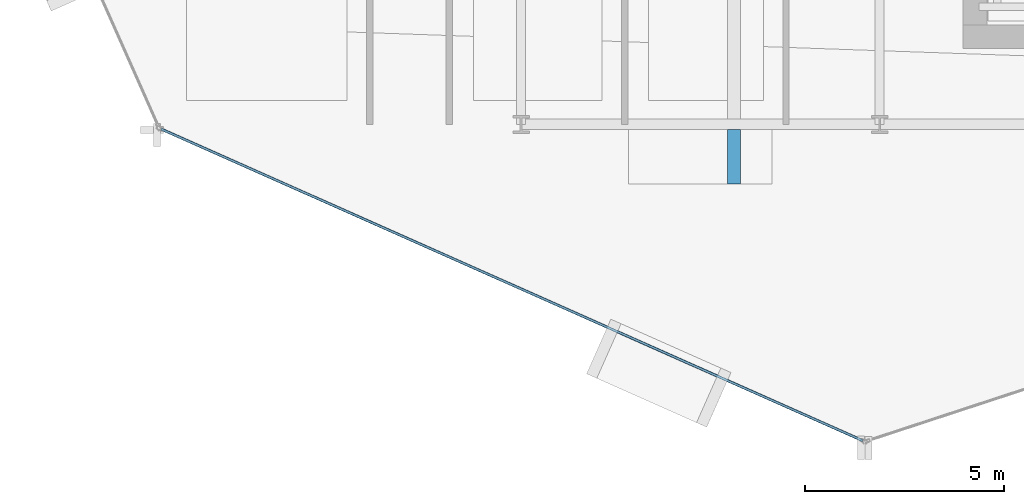
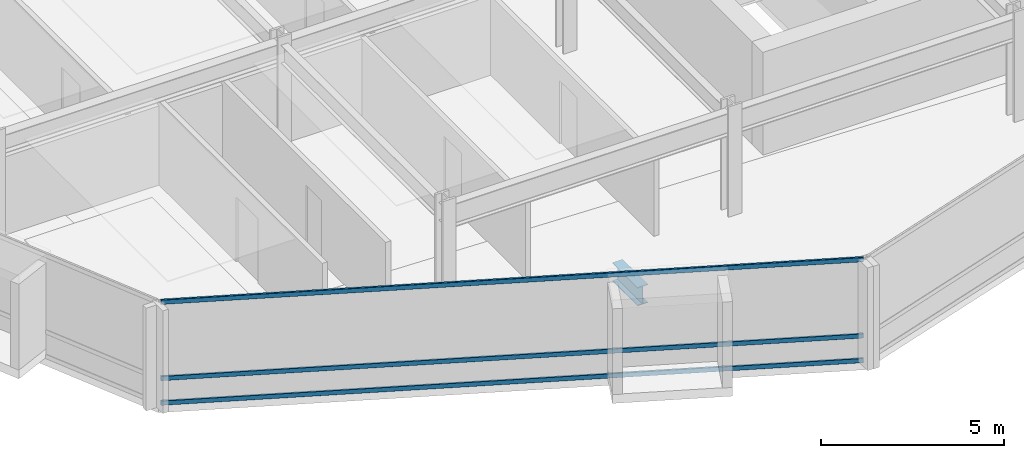
# One storey, part 3 of 29: 3 members, 1 beam, 1 element without a shape of its own.
"""IFC4 building model written with IfcOpenShell, lengths in metres."""

from ifc_helpers import new_model, si_unit, direction, frame, origin, origin_2d, place, context, subcontext, project, spatial, hollow_rectangle, i_section, extrude, material, layer, layer_set, material_profile, profile_set, type_object, element, aggregate, save


model = new_model("IFC4")

# Units and contexts
model_context = context("Model", 3, precision=1e-05, world=origin(), true_north=direction((0.0, 1.0)))
body_context = subcontext(model_context, "Body", "Model", "MODEL_VIEW")
ifc_project = project(units=[si_unit("LENGTHUNIT", "METRE"), si_unit("AREAUNIT", "SQUARE_METRE"), si_unit("VOLUMEUNIT", "CUBIC_METRE"), si_unit("PLANEANGLEUNIT", "RADIAN"), si_unit("MASSUNIT", "GRAM", prefix="KILO")], contexts=[model_context])

# Site, building, storey
site_placement = place(None, origin())
site = spatial("IfcSite", under=ifc_project, at=site_placement, CompositionType="ELEMENT")
building_placement = place(site_placement, origin())
building = spatial("IfcBuilding", under=site, at=building_placement, Name="Solvaryn Broadcast Tower", CompositionType="ELEMENT")
storey_placement = place(building_placement, frame((0.0, 0.0, 117.39990234375)))
storey = spatial("IfcBuildingStorey", under=building, at=storey_placement, Name="L28", CompositionType="ELEMENT", Elevation=117.39990234375)

# Beam
ifc_material_1 = material(Name="Steel ASTM A992 Grade 50", Category="steel")
ifc_material_profile_1 = material_profile(ifc_material_1, i_section(OverallWidth=0.323974609375, OverallDepth=0.611083984375, WebThickness=0.0126953125, FlangeThickness=0.01904296875, FilletRadius=0.014892578125, at=origin_2d()))
ifc_profile_set_1 = profile_set([ifc_material_profile_1], Name="Steel ASTM A992 Grade 50")
beam_type = type_object("IfcBeamType", Name="BM-CANT-TER", PredefinedType="BEAM", material=ifc_profile_set_1)
beam_placement = place(storey_placement, frame((23.35009765625, 8.875, -0.58544921875), z_axis=(0.0, -1.0, 0.0), x_axis=(1.0, 0.0, 0.0)))
element("IfcBeam", 1, at=beam_placement, inside=storey, type_object=beam_type, Name="L28 Bay-Box Cantilever Bracket 1", PredefinedType="BEAM", context=body_context, shape_type="SweptSolid", body=[
    extrude(i_section(OverallWidth=0.323974609375, OverallDepth=0.611083984375, WebThickness=0.0126953125, FlangeThickness=0.01904296875, FilletRadius=0.014892578125, at=origin_2d()), origin(), (0.0, 0.0, 1.0), 1.375),
])

# Curtain wall, members
ifc_material_2 = material(Name="Aluminium and Terracotta Unitised Curtain Wall", Category="masonry")
ifc_layer = layer(ifc_material_2, 0.199951171875)
ifc_layer_set = layer_set([ifc_layer], Name="CW-SYS2-LOWMID")
curtain_wall_type = type_object("IfcCurtainWallType", Name="CW-SYS2-LOWMID", PredefinedType="NOTDEFINED", material=ifc_layer_set)
curtain_wall_placement = place(storey_placement, origin())
curtain_wall = element("IfcCurtainWall", 2, at=curtain_wall_placement, inside=storey, type_object=curtain_wall_type, Name="L28 Curtain Wall DR3", PredefinedType="NOTDEFINED")
ifc_material_3 = material(Name="Anodised Aluminium 6063-T6", Category="aluminium")
ifc_material_profile_2 = material_profile(ifc_material_3, hollow_rectangle(XDim=0.06494140625, YDim=0.14990234375, WallThickness=0.00390625, InnerFilletRadius=0.00390625, OuterFilletRadius=0.008056640625, at=origin_2d()))
ifc_profile_set_2 = profile_set([ifc_material_profile_2], Name="Anodised Aluminium 6063-T6")
member_type = type_object("IfcMemberType", Name="CW-TRN-150", PredefinedType="USERDEFINED", material=ifc_profile_set_2)
member_1_placement = place(storey_placement, frame((8.962890625, 8.883544921875, 0.030029296875), z_axis=(0.913909703223, -0.405917546252, 0.0), x_axis=(0.405917546252, 0.913909703223, 0.0)))
member_1 = element("IfcMember", 3, at=member_1_placement, type_object=member_type, Name="CWS2 transom 1.1", ObjectType="TRANSOM", PredefinedType="USERDEFINED", context=body_context, shape_type="SweptSolid", body=[
    extrude(hollow_rectangle(XDim=0.06494140625, YDim=0.14990234375, WallThickness=0.00390625, InnerFilletRadius=0.00390625, OuterFilletRadius=0.008056640625, at=origin_2d()), origin(), (0.0, 0.0, 1.0), 19.27783203125),
])
member_2_placement = place(storey_placement, frame((8.962890625, 8.883544921875, 0.85009765625), z_axis=(0.913909703223, -0.405917546252, 0.0), x_axis=(0.405917546252, 0.913909703223, 0.0)))
member_2 = element("IfcMember", 4, at=member_2_placement, type_object=member_type, Name="CWS2 transom 1.2", ObjectType="TRANSOM", PredefinedType="USERDEFINED", context=body_context, shape_type="SweptSolid", body=[
    extrude(hollow_rectangle(XDim=0.06494140625, YDim=0.14990234375, WallThickness=0.00390625, InnerFilletRadius=0.00390625, OuterFilletRadius=0.008056640625, at=origin_2d()), origin(), (0.0, 0.0, 1.0), 19.27783203125),
])
member_3_placement = place(storey_placement, frame((8.962890625, 8.883544921875, 3.39013671875), z_axis=(0.913909703223, -0.405917546252, 0.0), x_axis=(0.405917546252, 0.913909703223, 0.0)))
member_3 = element("IfcMember", 5, at=member_3_placement, type_object=member_type, Name="CWS2 transom 1.3", ObjectType="TRANSOM", PredefinedType="USERDEFINED", context=body_context, shape_type="SweptSolid", body=[
    extrude(hollow_rectangle(XDim=0.06494140625, YDim=0.14990234375, WallThickness=0.00390625, InnerFilletRadius=0.00390625, OuterFilletRadius=0.008056640625, at=origin_2d()), origin(), (0.0, 0.0, 1.0), 19.27783203125),
])
aggregate(curtain_wall, [member_1, member_2, member_3])

save(model, "model.ifc")
